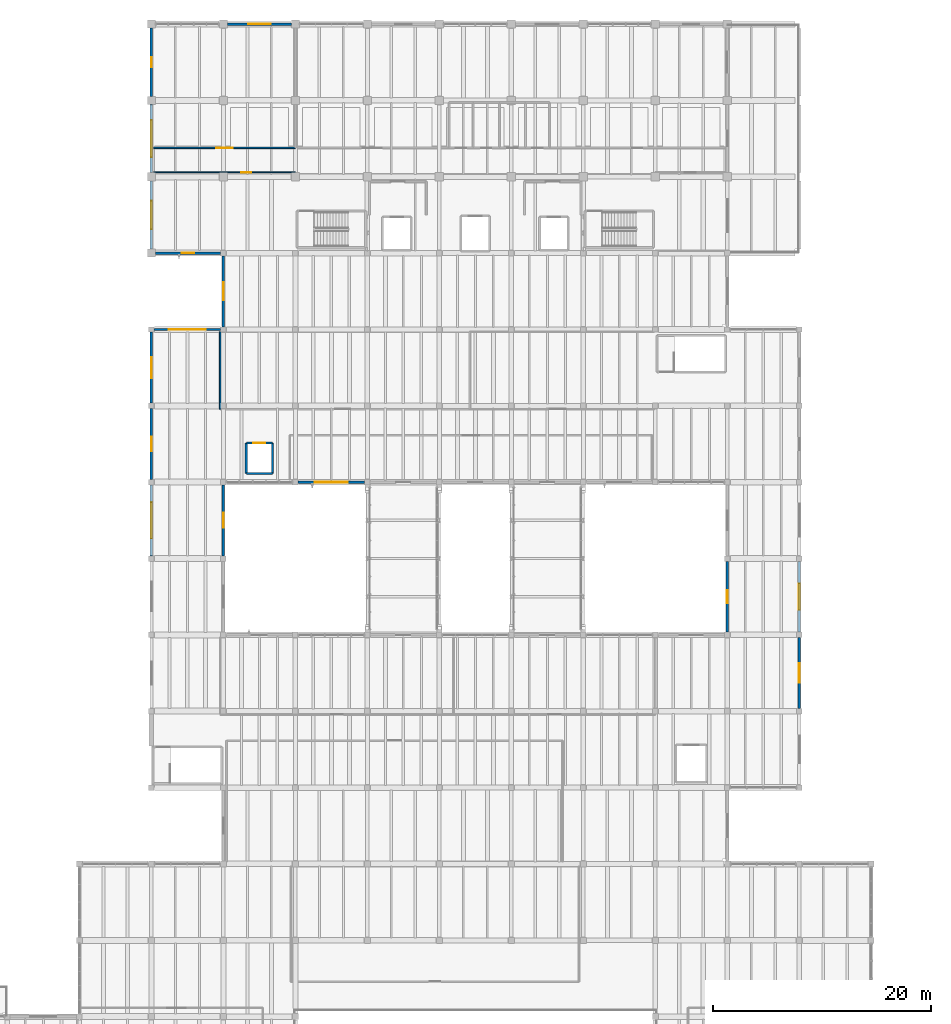
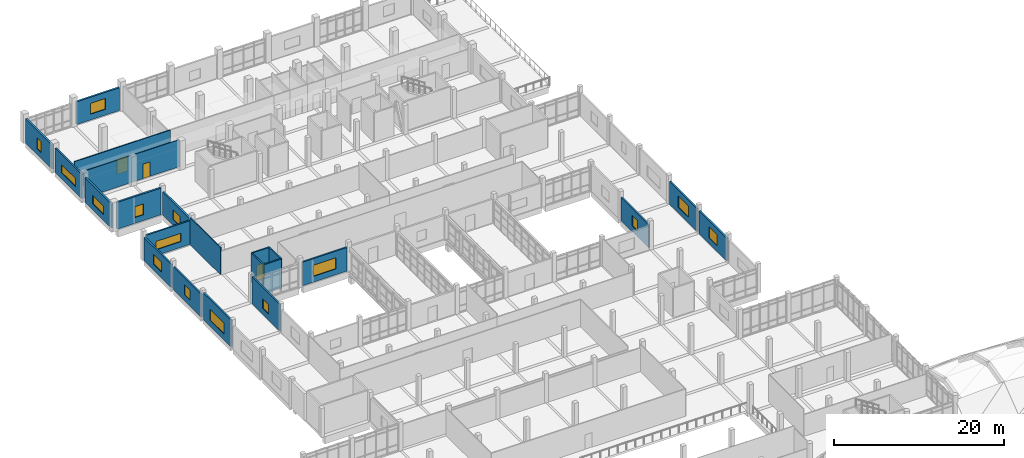
# One storey, part 50 of 65: 22 walls, 15 windows, 3 doors, 18 openings.
"""IFC4 building model written with IfcOpenShell, lengths in metres."""

from ifc_helpers import new_model, si_unit, direction, frame, frame_2d, origin, place, context, subcontext, project, spatial, rectangle, extrude, material, layer, layer_set, type_object, element, fill, save


model = new_model("IFC4")

# Units and contexts
model_context = context("Model", 3, precision=1e-05, world=origin(), true_north=direction((0.0, 1.0)))
body_context = subcontext(model_context, "Body", "Model", "MODEL_VIEW")
ifc_project = project(units=[si_unit("LENGTHUNIT", "METRE"), si_unit("AREAUNIT", "SQUARE_METRE"), si_unit("VOLUMEUNIT", "CUBIC_METRE"), si_unit("PLANEANGLEUNIT", "RADIAN"), si_unit("MASSUNIT", "GRAM", prefix="KILO")], contexts=[model_context])

# Site, building, storey
site_placement = place(None, origin())
site = spatial("IfcSite", under=ifc_project, at=site_placement, CompositionType="ELEMENT")
building_placement = place(site_placement, origin())
building = spatial("IfcBuilding", under=site, at=building_placement, Name="Ciguamira Faculty of Natural Sciences", CompositionType="ELEMENT")
storey_placement = place(building_placement, frame((0.0, 0.0, 12.60009765625)))
storey = spatial("IfcBuildingStorey", under=building, at=storey_placement, Name="L03", CompositionType="ELEMENT", Elevation=12.60009765625)

# Wall, opening, window
ifc_material_1 = material(Name="Precast concrete C40/50", Category="concrete")
ifc_layer_1 = layer(ifc_material_1, 0.239990234375, Name="Precast concrete C40/50")
ifc_layer_set_1 = layer_set([ifc_layer_1], Name="Precast concrete C40/50")
wall_type_1 = type_object("IfcWallType", Name="ExtWall_EW-02_240", PredefinedType="SOLIDWALL", material=ifc_layer_set_1)
wall_1_placement = place(storey_placement, frame((57.675048828125, 94.0, 0.0), z_axis=(0.0, 0.0, 1.0), x_axis=(1.0, 0.0, 0.0)))
wall_1 = element("IfcWall", 1, at=wall_1_placement, inside=storey, type_object=wall_type_1, Name="L03 exterior wall 0282", PredefinedType="SOLIDWALL", context=body_context, shape_type="SweptSolid", body=[
    extrude(rectangle(XDim=5.974853515625, YDim=0.239990234375, at=frame_2d((2.9873046875, 0.0))), origin(), (0.0, 0.0, 1.0), 3.849853515625),
])
opening_1_placement = place(wall_1_placement, frame((2.41259765625, 0.0, 0.85009765625)))
opening_1 = element("IfcOpeningElement", 2, at=opening_1_placement, cuts=wall_1, Name="Opening WT-37", PredefinedType="OPENING", context=body_context, shape_type="SweptSolid", body=[
    extrude(rectangle(XDim=1.14990234375, YDim=1.550048828125, at=frame_2d((0.574951171875, 0.77490234375))), frame((0.0, 0.1298828125, 0.0), z_axis=(0.0, -1.0, 0.0), x_axis=(1.0, 0.0, 0.0)), (0.0, 0.0, 1.0), 0.260009765625),
])
ifc_material_2 = material(Name="Hurricane laminated solar glass", Category="glass")
window_type_1 = type_object("IfcWindowType", Name="Window_WT-37_1150x1550", PartitioningType="DOUBLE_PANEL_VERTICAL", PredefinedType="WINDOW", material=ifc_material_2)
window_1_placement = place(opening_1_placement, origin())
window_1 = element("IfcWindow", 3, at=window_1_placement, inside=storey, type_object=window_type_1, Name="L03 facade window 0178", OverallHeight=1.550048828125, OverallWidth=1.14990234375, PartitioningType="SINGLE_PANEL", PredefinedType="WINDOW", context=body_context, shape_type="SweptSolid", body=[
    extrude(rectangle(XDim=1.14990234375, YDim=1.550048828125, at=frame_2d((0.574951171875, 0.77490234375))), frame((0.0, 0.030029296875, 0.0), z_axis=(0.0, -1.0, 0.0), x_axis=(1.0, 0.0, 0.0)), (0.0, 0.0, 1.0), 0.06005859375),
])
fill(opening_1, window_1)

wall_2_placement = place(storey_placement, frame((64.27490234375, 115.0, 0.0), z_axis=(0.0, 0.0, 1.0), x_axis=(1.0, 0.0, 0.0)))
wall_2 = element("IfcWall", 4, at=wall_2_placement, inside=storey, type_object=wall_type_1, Name="L03 exterior wall 0283", PredefinedType="SOLIDWALL", context=body_context, shape_type="SweptSolid", body=[
    extrude(rectangle(XDim=5.85009765625, YDim=0.239990234375, at=frame_2d((2.925048828125, 0.0))), origin(), (0.0, 0.0, 1.0), 3.284912109375),
])
opening_2_placement = place(wall_2_placement, frame((1.89990234375, 0.0, 0.85009765625)))
opening_2 = element("IfcOpeningElement", 5, at=opening_2_placement, cuts=wall_2, Name="Opening WT-40", PredefinedType="OPENING", context=body_context, shape_type="SweptSolid", body=[
    extrude(rectangle(XDim=2.050048828125, YDim=1.550048828125, at=frame_2d((1.02490234375, 0.77490234375))), frame((0.0, 0.1298828125, 0.0), z_axis=(0.0, -1.0, 0.0), x_axis=(1.0, 0.0, 0.0)), (0.0, 0.0, 1.0), 0.260009765625),
])
window_type_2 = type_object("IfcWindowType", Name="Window_WT-40_2050x1550", PartitioningType="DOUBLE_PANEL_VERTICAL", PredefinedType="WINDOW", material=ifc_material_2)
window_2_placement = place(opening_2_placement, origin())
window_2 = element("IfcWindow", 6, at=window_2_placement, inside=storey, type_object=window_type_2, Name="L03 facade window 0179", OverallHeight=1.550048828125, OverallWidth=2.050048828125, PartitioningType="SINGLE_PANEL", PredefinedType="WINDOW", context=body_context, shape_type="SweptSolid", body=[
    extrude(rectangle(XDim=2.050048828125, YDim=1.550048828125, at=frame_2d((1.02490234375, 0.77490234375))), frame((0.0, 0.030029296875, 0.0), z_axis=(0.0, -1.0, 0.0), x_axis=(1.0, 0.0, 0.0)), (0.0, 0.0, 1.0), 0.06005859375),
])
fill(opening_2, window_2)

wall_3_placement = place(storey_placement, frame((57.300048828125, 94.375, 0.0), z_axis=(0.0, 0.0, 1.0), x_axis=(0.0, 1.0, 0.0)))
wall_3 = element("IfcWall", 7, at=wall_3_placement, inside=storey, type_object=wall_type_1, Name="L03 exterior wall 0297", PredefinedType="SOLIDWALL", context=body_context, shape_type="SweptSolid", body=[
    extrude(rectangle(XDim=6.25, YDim=0.239990234375, at=frame_2d((3.125, 0.0))), origin(), (0.0, 0.0, 1.0), 3.5048828125),
])
opening_3_placement = place(wall_3_placement, frame((1.824951171875, 0.0, 0.85009765625)))
opening_3 = element("IfcOpeningElement", 8, at=opening_3_placement, cuts=wall_3, Name="Opening WT-32", PredefinedType="OPENING", context=body_context, shape_type="SweptSolid", body=[
    extrude(rectangle(XDim=2.60009765625, YDim=1.199951171875, at=frame_2d((1.300048828125, 0.60009765625))), frame((0.0, 0.1298828125, 0.0), z_axis=(0.0, -1.0, 0.0), x_axis=(1.0, 0.0, 0.0)), (0.0, 0.0, 1.0), 0.260009765625),
])
window_type_3 = type_object("IfcWindowType", Name="Window_WT-32_2600x1200", PartitioningType="DOUBLE_PANEL_VERTICAL", PredefinedType="WINDOW", material=ifc_material_2)
window_3_placement = place(opening_3_placement, origin())
window_3 = element("IfcWindow", 9, at=window_3_placement, inside=storey, type_object=window_type_3, Name="L03 facade window 0192", OverallHeight=1.199951171875, OverallWidth=2.60009765625, PartitioningType="SINGLE_PANEL", PredefinedType="WINDOW", context=body_context, shape_type="SweptSolid", body=[
    extrude(rectangle(XDim=2.60009765625, YDim=1.199951171875, at=frame_2d((1.300048828125, 0.60009765625))), frame((0.0, 0.030029296875, 0.0), z_axis=(0.0, -1.0, 0.0), x_axis=(1.0, 0.0, 0.0)), (0.0, 0.0, 1.0), 0.06005859375),
])
fill(opening_3, window_3)

wall_4_placement = place(storey_placement, frame((57.300048828125, 101.375, 0.0), z_axis=(0.0, 0.0, 1.0), x_axis=(0.0, 1.0, 0.0)))
wall_4 = element("IfcWall", 10, at=wall_4_placement, inside=storey, type_object=wall_type_1, Name="L03 exterior wall 0298", PredefinedType="SOLIDWALL", context=body_context, shape_type="SweptSolid", body=[
    extrude(rectangle(XDim=6.25, YDim=0.239990234375, at=frame_2d((3.125, 0.0))), origin(), (0.0, 0.0, 1.0), 3.5048828125),
])
opening_4_placement = place(wall_4_placement, frame((1.425048828125, 0.0, 0.85009765625)))
opening_4 = element("IfcOpeningElement", 11, at=opening_4_placement, cuts=wall_4, Name="Opening WT-34", PredefinedType="OPENING", context=body_context, shape_type="SweptSolid", body=[
    extrude(rectangle(XDim=3.39990234375, YDim=1.199951171875, at=frame_2d((1.699951171875, 0.60009765625))), frame((0.0, 0.1298828125, 0.0), z_axis=(0.0, -1.0, 0.0), x_axis=(1.0, 0.0, 0.0)), (0.0, 0.0, 1.0), 0.260009765625),
])
window_type_4 = type_object("IfcWindowType", Name="Window_WT-34_3400x1200", PartitioningType="DOUBLE_PANEL_VERTICAL", PredefinedType="WINDOW", material=ifc_material_2)
window_4_placement = place(opening_4_placement, origin())
window_4 = element("IfcWindow", 12, at=window_4_placement, inside=storey, type_object=window_type_4, Name="L03 facade window 0193", OverallHeight=1.199951171875, OverallWidth=3.39990234375, PartitioningType="SINGLE_PANEL", PredefinedType="WINDOW", context=body_context, shape_type="SweptSolid", body=[
    extrude(rectangle(XDim=3.39990234375, YDim=1.199951171875, at=frame_2d((1.699951171875, 0.60009765625))), frame((0.0, 0.030029296875, 0.0), z_axis=(0.0, -1.0, 0.0), x_axis=(1.0, 0.0, 0.0)), (0.0, 0.0, 1.0), 0.06005859375),
])
fill(opening_4, window_4)

wall_5_placement = place(storey_placement, frame((57.300048828125, 108.375, 0.0), z_axis=(0.0, 0.0, 1.0), x_axis=(0.0, 1.0, 0.0)))
wall_5 = element("IfcWall", 13, at=wall_5_placement, inside=storey, type_object=wall_type_1, Name="L03 exterior wall 0299", PredefinedType="SOLIDWALL", context=body_context, shape_type="SweptSolid", body=[
    extrude(rectangle(XDim=6.25, YDim=0.239990234375, at=frame_2d((3.125, 0.0))), origin(), (0.0, 0.0, 1.0), 3.5048828125),
])
opening_5_placement = place(wall_5_placement, frame((2.64990234375, 0.0, 0.85009765625)))
opening_5 = element("IfcOpeningElement", 14, at=opening_5_placement, cuts=wall_5, Name="Opening WT-36", PredefinedType="OPENING", context=body_context, shape_type="SweptSolid", body=[
    extrude(rectangle(XDim=0.949951171875, YDim=1.550048828125, at=frame_2d((0.47509765625, 0.77490234375))), frame((0.0, 0.1298828125, 0.0), z_axis=(0.0, -1.0, 0.0), x_axis=(1.0, 0.0, 0.0)), (0.0, 0.0, 1.0), 0.260009765625),
])
window_type_5 = type_object("IfcWindowType", Name="Window_WT-36_950x1550", PartitioningType="DOUBLE_PANEL_VERTICAL", PredefinedType="WINDOW", material=ifc_material_2)
window_5_placement = place(opening_5_placement, origin())
window_5 = element("IfcWindow", 15, at=window_5_placement, inside=storey, type_object=window_type_5, Name="L03 facade window 0194", OverallHeight=1.550048828125, OverallWidth=0.949951171875, PartitioningType="SINGLE_PANEL", PredefinedType="WINDOW", context=body_context, shape_type="SweptSolid", body=[
    extrude(rectangle(XDim=0.949951171875, YDim=1.550048828125, at=frame_2d((0.47509765625, 0.77490234375))), frame((0.0, 0.030029296875, 0.0), z_axis=(0.0, -1.0, 0.0), x_axis=(1.0, 0.0, 0.0)), (0.0, 0.0, 1.0), 0.06005859375),
])
fill(opening_5, window_5)

ifc_layer_2 = layer(ifc_material_1, 0.219970703125, Name="Precast concrete C40/50")
ifc_layer_set_2 = layer_set([ifc_layer_2], Name="Precast concrete C40/50")
wall_type_2 = type_object("IfcWallType", Name="ExtWall_EW-03_220", PredefinedType="SOLIDWALL", material=ifc_layer_set_2)
wall_6_placement = place(storey_placement, frame((70.75, 73.0, 0.0), z_axis=(0.0, 0.0, 1.0), x_axis=(1.0, 0.0, 0.0)))
wall_6 = element("IfcWall", 16, at=wall_6_placement, inside=storey, type_object=wall_type_2, Name="L03 exterior wall 0276", PredefinedType="SOLIDWALL", context=body_context, shape_type="SweptSolid", body=[
    extrude(rectangle(XDim=6.10009765625, YDim=0.219970703125, at=frame_2d((3.050048828125, 0.0))), origin(), (0.0, 0.0, 1.0), 3.40478515625),
])
opening_6_placement = place(wall_6_placement, frame((1.550048828125, 0.0, 0.85009765625)))
opening_6 = element("IfcOpeningElement", 17, at=opening_6_placement, cuts=wall_6, Name="Opening WT-25", PredefinedType="OPENING", context=body_context, shape_type="SweptSolid", body=[
    extrude(rectangle(XDim=3.0, YDim=1.60009765625, at=frame_2d((1.5, 0.800048828125))), frame((0.0, 0.119873046875, 0.0), z_axis=(0.0, -1.0, 0.0), x_axis=(1.0, 0.0, 0.0)), (0.0, 0.0, 1.0), 0.239990234375),
])
window_type_6 = type_object("IfcWindowType", Name="Window_WT-25_3000x1600", PartitioningType="DOUBLE_PANEL_VERTICAL", PredefinedType="WINDOW", material=ifc_material_2)
window_6_placement = place(opening_6_placement, origin())
window_6 = element("IfcWindow", 18, at=window_6_placement, inside=storey, type_object=window_type_6, Name="L03 facade window 0174", OverallHeight=1.60009765625, OverallWidth=3.0, PartitioningType="SINGLE_PANEL", PredefinedType="WINDOW", context=body_context, shape_type="SweptSolid", body=[
    extrude(rectangle(XDim=3.0, YDim=1.60009765625, at=frame_2d((1.5, 0.800048828125))), frame((0.0, 0.030029296875, 0.0), z_axis=(0.0, -1.0, 0.0), x_axis=(1.0, 0.0, 0.0)), (0.0, 0.0, 1.0), 0.06005859375),
])
fill(opening_6, window_6)

wall_7_placement = place(storey_placement, frame((57.550048828125, 87.0, 0.0), z_axis=(0.0, 0.0, 1.0), x_axis=(1.0, 0.0, 0.0)))
wall_7 = element("IfcWall", 19, at=wall_7_placement, inside=storey, type_object=wall_type_2, Name="L03 exterior wall 0281", PredefinedType="SOLIDWALL", context=body_context, shape_type="SweptSolid", body=[
    extrude(rectangle(XDim=6.099853515625, YDim=0.219970703125, at=frame_2d((3.0498046875, 0.0))), origin(), (0.0, 0.0, 1.0), 3.40478515625),
])
opening_7_placement = place(wall_7_placement, frame((1.35009765625, 0.0, 0.85009765625)))
opening_7 = element("IfcOpeningElement", 20, at=opening_7_placement, cuts=wall_7, Name="Opening WT-34", PredefinedType="OPENING", context=body_context, shape_type="SweptSolid", body=[
    extrude(rectangle(XDim=3.39990234375, YDim=1.199951171875, at=frame_2d((1.699951171875, 0.60009765625))), frame((0.0, 0.119873046875, 0.0), z_axis=(0.0, -1.0, 0.0), x_axis=(1.0, 0.0, 0.0)), (0.0, 0.0, 1.0), 0.239990234375),
])
window_7_placement = place(opening_7_placement, origin())
window_7 = element("IfcWindow", 21, at=window_7_placement, inside=storey, type_object=window_type_4, Name="L03 facade window 0177", OverallHeight=1.199951171875, OverallWidth=3.39990234375, PartitioningType="SINGLE_PANEL", PredefinedType="WINDOW", context=body_context, shape_type="SweptSolid", body=[
    extrude(rectangle(XDim=3.39990234375, YDim=1.199951171875, at=frame_2d((1.699951171875, 0.60009765625))), frame((0.0, 0.030029296875, 0.0), z_axis=(0.0, -1.0, 0.0), x_axis=(1.0, 0.0, 0.0)), (0.0, 0.0, 1.0), 0.06005859375),
])
fill(opening_7, window_7)

wall_8_placement = place(storey_placement, frame((57.300048828125, 66.25, 0.0), z_axis=(0.0, 0.0, 1.0), x_axis=(0.0, 1.0, 0.0)))
wall_8 = element("IfcWall", 22, at=wall_8_placement, inside=storey, type_object=wall_type_2, Name="L03 exterior wall 0294", PredefinedType="SOLIDWALL", context=body_context, shape_type="SweptSolid", body=[
    extrude(rectangle(XDim=6.5, YDim=0.219970703125, at=frame_2d((3.25, 0.0))), origin(), (0.0, 0.0, 1.0), 3.849853515625),
])
opening_8_placement = place(wall_8_placement, frame((1.60009765625, 0.0, 0.85009765625)))
opening_8 = element("IfcOpeningElement", 23, at=opening_8_placement, cuts=wall_8, Name="Opening WT-26", PredefinedType="OPENING", context=body_context, shape_type="SweptSolid", body=[
    extrude(rectangle(XDim=3.300048828125, YDim=1.60009765625, at=frame_2d((1.64990234375, 0.800048828125))), frame((0.0, 0.119873046875, 0.0), z_axis=(0.0, -1.0, 0.0), x_axis=(1.0, 0.0, 0.0)), (0.0, 0.0, 1.0), 0.239990234375),
])
window_type_7 = type_object("IfcWindowType", Name="Window_WT-26_3300x1600", PartitioningType="DOUBLE_PANEL_VERTICAL", PredefinedType="WINDOW", material=ifc_material_2)
window_8_placement = place(opening_8_placement, origin())
window_8 = element("IfcWindow", 24, at=window_8_placement, inside=storey, type_object=window_type_7, Name="L03 facade window 0189", OverallHeight=1.60009765625, OverallWidth=3.300048828125, PartitioningType="SINGLE_PANEL", PredefinedType="WINDOW", context=body_context, shape_type="SweptSolid", body=[
    extrude(rectangle(XDim=3.300048828125, YDim=1.60009765625, at=frame_2d((1.64990234375, 0.800048828125))), frame((0.0, 0.030029296875, 0.0), z_axis=(0.0, -1.0, 0.0), x_axis=(1.0, 0.0, 0.0)), (0.0, 0.0, 1.0), 0.06005859375),
])
fill(opening_8, window_8)

wall_9_placement = place(storey_placement, frame((57.300048828125, 73.25, 0.0), z_axis=(0.0, 0.0, 1.0), x_axis=(0.0, 1.0, 0.0)))
wall_9 = element("IfcWall", 25, at=wall_9_placement, inside=storey, type_object=wall_type_2, Name="L03 exterior wall 0295", PredefinedType="SOLIDWALL", context=body_context, shape_type="SweptSolid", body=[
    extrude(rectangle(XDim=6.5, YDim=0.219970703125, at=frame_2d((3.25, 0.0))), origin(), (0.0, 0.0, 1.0), 3.324951171875),
])
opening_9_placement = place(wall_9_placement, frame((2.60009765625, 0.0, 0.85009765625)))
opening_9 = element("IfcOpeningElement", 26, at=opening_9_placement, cuts=wall_9, Name="Opening WT-28", PredefinedType="OPENING", context=body_context, shape_type="SweptSolid", body=[
    extrude(rectangle(XDim=1.300048828125, YDim=1.449951171875, at=frame_2d((0.64990234375, 0.72509765625))), frame((0.0, 0.119873046875, 0.0), z_axis=(0.0, -1.0, 0.0), x_axis=(1.0, 0.0, 0.0)), (0.0, 0.0, 1.0), 0.239990234375),
])
window_type_8 = type_object("IfcWindowType", Name="Window_WT-28_1300x1450", PartitioningType="DOUBLE_PANEL_VERTICAL", PredefinedType="WINDOW", material=ifc_material_2)
window_9_placement = place(opening_9_placement, origin())
window_9 = element("IfcWindow", 27, at=window_9_placement, inside=storey, type_object=window_type_8, Name="L03 facade window 0190", OverallHeight=1.449951171875, OverallWidth=1.300048828125, PartitioningType="SINGLE_PANEL", PredefinedType="WINDOW", context=body_context, shape_type="SweptSolid", body=[
    extrude(rectangle(XDim=1.300048828125, YDim=1.449951171875, at=frame_2d((0.64990234375, 0.72509765625))), frame((0.0, 0.030029296875, 0.0), z_axis=(0.0, -1.0, 0.0), x_axis=(1.0, 0.0, 0.0)), (0.0, 0.0, 1.0), 0.06005859375),
])
fill(opening_9, window_9)

wall_10_placement = place(storey_placement, frame((57.300048828125, 80.25, 0.0), z_axis=(0.0, 0.0, 1.0), x_axis=(0.0, 1.0, 0.0)))
wall_10 = element("IfcWall", 28, at=wall_10_placement, inside=storey, type_object=wall_type_2, Name="L03 exterior wall 0296", PredefinedType="SOLIDWALL", context=body_context, shape_type="SweptSolid", body=[
    extrude(rectangle(XDim=6.5, YDim=0.219970703125, at=frame_2d((3.25, 0.0))), origin(), (0.0, 0.0, 1.0), 3.324951171875),
])
opening_10_placement = place(wall_10_placement, frame((2.300048828125, 0.0, 0.85009765625)))
opening_10 = element("IfcOpeningElement", 29, at=opening_10_placement, cuts=wall_10, Name="Opening WT-30", PredefinedType="OPENING", context=body_context, shape_type="SweptSolid", body=[
    extrude(rectangle(XDim=1.89990234375, YDim=1.449951171875, at=frame_2d((0.949951171875, 0.72509765625))), frame((0.0, 0.119873046875, 0.0), z_axis=(0.0, -1.0, 0.0), x_axis=(1.0, 0.0, 0.0)), (0.0, 0.0, 1.0), 0.239990234375),
])
window_type_9 = type_object("IfcWindowType", Name="Window_WT-30_1900x1450", PartitioningType="DOUBLE_PANEL_VERTICAL", PredefinedType="WINDOW", material=ifc_material_2)
window_10_placement = place(opening_10_placement, origin())
window_10 = element("IfcWindow", 30, at=window_10_placement, inside=storey, type_object=window_type_9, Name="L03 facade window 0191", OverallHeight=1.449951171875, OverallWidth=1.89990234375, PartitioningType="SINGLE_PANEL", PredefinedType="WINDOW", context=body_context, shape_type="SweptSolid", body=[
    extrude(rectangle(XDim=1.89990234375, YDim=1.449951171875, at=frame_2d((0.949951171875, 0.72509765625))), frame((0.0, 0.030029296875, 0.0), z_axis=(0.0, -1.0, 0.0), x_axis=(1.0, 0.0, 0.0)), (0.0, 0.0, 1.0), 0.06005859375),
])
fill(opening_10, window_10)

wall_11_placement = place(storey_placement, frame((63.89990234375, 66.25, 0.0), z_axis=(0.0, 0.0, 1.0), x_axis=(0.0, 1.0, 0.0)))
wall_11 = element("IfcWall", 31, at=wall_11_placement, inside=storey, type_object=wall_type_2, Name="L03 exterior wall 0302", PredefinedType="SOLIDWALL", context=body_context, shape_type="SweptSolid", body=[
    extrude(rectangle(XDim=6.5, YDim=0.219970703125, at=frame_2d((3.25, 0.0))), origin(), (0.0, 0.0, 1.0), 3.849853515625),
])
opening_11_placement = place(wall_11_placement, frame((2.574951171875, 0.0, 0.85009765625)))
opening_11 = element("IfcOpeningElement", 32, at=opening_11_placement, cuts=wall_11, Name="Opening WT-02", PredefinedType="OPENING", context=body_context, shape_type="SweptSolid", body=[
    extrude(rectangle(XDim=1.35009765625, YDim=1.35009765625, at=frame_2d((0.675048828125, 0.675048828125))), frame((0.0, 0.119873046875, 0.0), z_axis=(0.0, -1.0, 0.0), x_axis=(1.0, 0.0, 0.0)), (0.0, 0.0, 1.0), 0.239990234375),
])
window_type_10 = type_object("IfcWindowType", Name="Window_WT-02_1350x1350", PartitioningType="DOUBLE_PANEL_VERTICAL", PredefinedType="WINDOW", material=ifc_material_2)
window_11_placement = place(opening_11_placement, origin())
window_11 = element("IfcWindow", 33, at=window_11_placement, inside=storey, type_object=window_type_10, Name="L03 facade window 0197", OverallHeight=1.35009765625, OverallWidth=1.35009765625, PartitioningType="SINGLE_PANEL", PredefinedType="WINDOW", context=body_context, shape_type="SweptSolid", body=[
    extrude(rectangle(XDim=1.35009765625, YDim=1.35009765625, at=frame_2d((0.675048828125, 0.675048828125))), frame((0.0, 0.030029296875, 0.0), z_axis=(0.0, -1.0, 0.0), x_axis=(1.0, 0.0, 0.0)), (0.0, 0.0, 1.0), 0.06005859375),
])
fill(opening_11, window_11)

wall_12_placement = place(storey_placement, frame((63.89990234375, 87.25, 0.0), z_axis=(0.0, 0.0, 1.0), x_axis=(0.0, 1.0, 0.0)))
wall_12 = element("IfcWall", 34, at=wall_12_placement, inside=storey, type_object=wall_type_2, Name="L03 exterior wall 0303", PredefinedType="SOLIDWALL", context=body_context, shape_type="SweptSolid", body=[
    extrude(rectangle(XDim=6.5, YDim=0.219970703125, at=frame_2d((3.25, 0.0))), origin(), (0.0, 0.0, 1.0), 3.324951171875),
])
opening_12_placement = place(wall_12_placement, frame((2.425048828125, 0.0, 0.85009765625)))
opening_12 = element("IfcOpeningElement", 35, at=opening_12_placement, cuts=wall_12, Name="Opening WT-04", PredefinedType="OPENING", context=body_context, shape_type="SweptSolid", body=[
    extrude(rectangle(XDim=1.64990234375, YDim=1.35009765625, at=frame_2d((0.824951171875, 0.675048828125))), frame((0.0, 0.119873046875, 0.0), z_axis=(0.0, -1.0, 0.0), x_axis=(1.0, 0.0, 0.0)), (0.0, 0.0, 1.0), 0.239990234375),
])
window_type_11 = type_object("IfcWindowType", Name="Window_WT-04_1650x1350", PartitioningType="DOUBLE_PANEL_VERTICAL", PredefinedType="WINDOW", material=ifc_material_2)
window_12_placement = place(opening_12_placement, origin())
window_12 = element("IfcWindow", 36, at=window_12_placement, inside=storey, type_object=window_type_11, Name="L03 facade window 0198", OverallHeight=1.35009765625, OverallWidth=1.64990234375, PartitioningType="SINGLE_PANEL", PredefinedType="WINDOW", context=body_context, shape_type="SweptSolid", body=[
    extrude(rectangle(XDim=1.64990234375, YDim=1.35009765625, at=frame_2d((0.824951171875, 0.675048828125))), frame((0.0, 0.030029296875, 0.0), z_axis=(0.0, -1.0, 0.0), x_axis=(1.0, 0.0, 0.0)), (0.0, 0.0, 1.0), 0.06005859375),
])
fill(opening_12, window_12)

wall_13_placement = place(storey_placement, frame((110.10009765625, 59.25, 0.0), z_axis=(0.0, 0.0, 1.0), x_axis=(0.0, 1.0, 0.0)))
wall_13 = element("IfcWall", 37, at=wall_13_placement, inside=storey, type_object=wall_type_2, Name="L03 exterior wall 0305", PredefinedType="SOLIDWALL", context=body_context, shape_type="SweptSolid", body=[
    extrude(rectangle(XDim=6.5, YDim=0.219970703125, at=frame_2d((3.25, 0.0))), origin(), (0.0, 0.0, 1.0), 3.324951171875),
])
opening_13_placement = place(wall_13_placement, frame((2.64990234375, 0.0, 0.85009765625)))
opening_13 = element("IfcOpeningElement", 38, at=opening_13_placement, cuts=wall_13, Name="Opening WT-08", PredefinedType="OPENING", context=body_context, shape_type="SweptSolid", body=[
    extrude(rectangle(XDim=1.199951171875, YDim=1.5, at=frame_2d((0.60009765625, 0.75))), frame((0.0, 0.119873046875, 0.0), z_axis=(0.0, -1.0, 0.0), x_axis=(1.0, 0.0, 0.0)), (0.0, 0.0, 1.0), 0.239990234375),
])
window_type_12 = type_object("IfcWindowType", Name="Window_WT-08_1200x1500", PartitioningType="DOUBLE_PANEL_VERTICAL", PredefinedType="WINDOW", material=ifc_material_2)
window_13_placement = place(opening_13_placement, origin())
window_13 = element("IfcWindow", 39, at=window_13_placement, inside=storey, type_object=window_type_12, Name="L03 facade window 0200", OverallHeight=1.5, OverallWidth=1.199951171875, PartitioningType="SINGLE_PANEL", PredefinedType="WINDOW", context=body_context, shape_type="SweptSolid", body=[
    extrude(rectangle(XDim=1.199951171875, YDim=1.5, at=frame_2d((0.60009765625, 0.75))), frame((0.0, 0.030029296875, 0.0), z_axis=(0.0, -1.0, 0.0), x_axis=(1.0, 0.0, 0.0)), (0.0, 0.0, 1.0), 0.06005859375),
])
fill(opening_13, window_13)

wall_14_placement = place(storey_placement, frame((116.699951171875, 52.25, 0.0), z_axis=(0.0, 0.0, 1.0), x_axis=(0.0, 1.0, 0.0)))
wall_14 = element("IfcWall", 40, at=wall_14_placement, inside=storey, type_object=wall_type_2, Name="L03 exterior wall 0312", PredefinedType="SOLIDWALL", context=body_context, shape_type="SweptSolid", body=[
    extrude(rectangle(XDim=6.5, YDim=0.219970703125, at=frame_2d((3.25, 0.0))), origin(), (0.0, 0.0, 1.0), 3.324951171875),
])
opening_14_placement = place(wall_14_placement, frame((2.35009765625, 0.0, 0.85009765625)))
opening_14 = element("IfcOpeningElement", 41, at=opening_14_placement, cuts=wall_14, Name="Opening WT-21", PredefinedType="OPENING", context=body_context, shape_type="SweptSolid", body=[
    extrude(rectangle(XDim=1.800048828125, YDim=1.60009765625, at=frame_2d((0.89990234375, 0.800048828125))), frame((0.0, 0.119873046875, 0.0), z_axis=(0.0, -1.0, 0.0), x_axis=(1.0, 0.0, 0.0)), (0.0, 0.0, 1.0), 0.239990234375),
])
window_type_13 = type_object("IfcWindowType", Name="Window_WT-21_1800x1600", PartitioningType="DOUBLE_PANEL_VERTICAL", PredefinedType="WINDOW", material=ifc_material_2)
window_14_placement = place(opening_14_placement, origin())
window_14 = element("IfcWindow", 42, at=window_14_placement, inside=storey, type_object=window_type_13, Name="L03 facade window 0206", OverallHeight=1.60009765625, OverallWidth=1.800048828125, PartitioningType="SINGLE_PANEL", PredefinedType="WINDOW", context=body_context, shape_type="SweptSolid", body=[
    extrude(rectangle(XDim=1.800048828125, YDim=1.60009765625, at=frame_2d((0.89990234375, 0.800048828125))), frame((0.0, 0.030029296875, 0.0), z_axis=(0.0, -1.0, 0.0), x_axis=(1.0, 0.0, 0.0)), (0.0, 0.0, 1.0), 0.06005859375),
])
fill(opening_14, window_14)

wall_15_placement = place(storey_placement, frame((116.699951171875, 59.25, 0.0), z_axis=(0.0, 0.0, 1.0), x_axis=(0.0, 1.0, 0.0)))
wall_15 = element("IfcWall", 43, at=wall_15_placement, inside=storey, type_object=wall_type_2, Name="L03 exterior wall 0313", PredefinedType="SOLIDWALL", context=body_context, shape_type="SweptSolid", body=[
    extrude(rectangle(XDim=6.5, YDim=0.219970703125, at=frame_2d((3.25, 0.0))), origin(), (0.0, 0.0, 1.0), 3.324951171875),
])
opening_15_placement = place(wall_15_placement, frame((2.050048828125, 0.0, 0.85009765625)))
opening_15 = element("IfcOpeningElement", 44, at=opening_15_placement, cuts=wall_15, Name="Opening WT-23", PredefinedType="OPENING", context=body_context, shape_type="SweptSolid", body=[
    extrude(rectangle(XDim=2.39990234375, YDim=1.60009765625, at=frame_2d((1.199951171875, 0.800048828125))), frame((0.0, 0.119873046875, 0.0), z_axis=(0.0, -1.0, 0.0), x_axis=(1.0, 0.0, 0.0)), (0.0, 0.0, 1.0), 0.239990234375),
])
window_type_14 = type_object("IfcWindowType", Name="Window_WT-23_2400x1600", PartitioningType="DOUBLE_PANEL_VERTICAL", PredefinedType="WINDOW", material=ifc_material_2)
window_15_placement = place(opening_15_placement, origin())
window_15 = element("IfcWindow", 45, at=window_15_placement, inside=storey, type_object=window_type_14, Name="L03 facade window 0207", OverallHeight=1.60009765625, OverallWidth=2.39990234375, PartitioningType="SINGLE_PANEL", PredefinedType="WINDOW", context=body_context, shape_type="SweptSolid", body=[
    extrude(rectangle(XDim=2.39990234375, YDim=1.60009765625, at=frame_2d((1.199951171875, 0.800048828125))), frame((0.0, 0.030029296875, 0.0), z_axis=(0.0, -1.0, 0.0), x_axis=(1.0, 0.0, 0.0)), (0.0, 0.0, 1.0), 0.06005859375),
])
fill(opening_15, window_15)

# Wall
ifc_material_3 = material(Name="Concrete C40/50", Category="concrete")
ifc_layer_3 = layer(ifc_material_3, 0.199951171875, Name="Concrete C40/50")
ifc_layer_set_3 = layer_set([ifc_layer_3], Name="Concrete C40/50")
wall_type_3 = type_object("IfcWallType", Name="IntWall_CW-S20_200", PredefinedType="SHEAR", material=ifc_layer_set_3)
wall_16_placement = place(storey_placement, frame((66.0, 73.800048828125, 0.0), z_axis=(0.0, 0.0, 1.0), x_axis=(1.0, 0.0, 0.0)))
element("IfcWall", 46, at=wall_16_placement, inside=storey, type_object=wall_type_3, Name="L03 EL-P4 hoistway wall south", PredefinedType="SHEAR", context=body_context, shape_type="SweptSolid", body=[
    extrude(rectangle(XDim=2.39990234375, YDim=0.199951171875, at=frame_2d((1.199951171875, 0.0))), origin(), (0.0, 0.0, 1.0), 4.199951171875),
])

# Wall, opening, door
wall_17_placement = place(storey_placement, frame((66.0, 76.60009765625, 0.0), z_axis=(0.0, 0.0, 1.0), x_axis=(1.0, 0.0, 0.0)))
wall_17 = element("IfcWall", 47, at=wall_17_placement, inside=storey, type_object=wall_type_3, Name="L03 EL-P4 hoistway wall north", PredefinedType="SHEAR", context=body_context, shape_type="SweptSolid", body=[
    extrude(rectangle(XDim=2.39990234375, YDim=0.199951171875, at=frame_2d((1.199951171875, 0.0))), origin(), (0.0, 0.0, 1.0), 4.199951171875),
])
opening_16_placement = place(wall_17_placement, frame((0.64990234375, 0.0, 0.0)))
opening_16 = element("IfcOpeningElement", 48, at=opening_16_placement, cuts=wall_17, Name="Opening LD-01", PredefinedType="OPENING", context=body_context, shape_type="SweptSolid", body=[
    extrude(rectangle(XDim=1.10009765625, YDim=2.14990234375, at=frame_2d((0.550048828125, 1.074951171875))), frame((0.0, 0.10986328125, 0.0), z_axis=(0.0, -1.0, 0.0), x_axis=(1.0, 0.0, 0.0)), (0.0, 0.0, 1.0), 0.219970703125),
])
ifc_material_4 = material(Name="Passenger elevator sliding landing door")
door_type_1 = type_object("IfcDoorType", Name="LiftLandingDoor_LD-01_1100x2150", OperationType="SLIDING_TO_LEFT", PredefinedType="DOOR", material=ifc_material_4)
door_1_placement = place(opening_16_placement, origin())
door_1 = element("IfcDoor", 49, at=door_1_placement, inside=storey, type_object=door_type_1, Name="L03 EL-P4 elevator landing sliding door", OperationType="SLIDING_TO_LEFT", OverallHeight=2.14990234375, OverallWidth=1.10009765625, PredefinedType="DOOR", context=body_context, shape_type="SweptSolid", body=[
    extrude(rectangle(XDim=1.10009765625, YDim=2.14990234375, at=frame_2d((0.550048828125, 1.074951171875))), frame((0.0, 0.02490234375, 0.0), z_axis=(0.0, -1.0, 0.0), x_axis=(1.0, 0.0, 0.0)), (0.0, 0.0, 1.0), 0.050048828125),
])
fill(opening_16, door_1)

# Walls
for number, where, z_axis, x_axis, name in (
    (50, (66.0, 73.800048828125, 0.0), (0.0, 0.0, 1.0), (0.0, 1.0, 0.0), "L03 EL-P4 hoistway wall west"),
    (51, (68.39990234375, 73.800048828125, 0.0), (0.0, 0.0, 1.0), (0.0, 1.0, 0.0), "L03 EL-P4 hoistway wall east"),
):
    element("IfcWall", number, at=place(storey_placement, frame(where, z_axis=z_axis, x_axis=x_axis)), inside=storey, type_object=wall_type_3, Name=name, PredefinedType="SHEAR", context=body_context, shape_type="SweptSolid", body=[
        extrude(rectangle(XDim=2.800048828125, YDim=0.199951171875, at=frame_2d((1.39990234375, 0.0))), origin(), (0.0, 0.0, 1.0), 4.199951171875),
    ])

# Wall, opening, door
ifc_material_5 = material(Name="Fire-rated gypsum partition")
ifc_layer_4 = layer(ifc_material_5, 0.10009765625, Name="Fire-rated gypsum partition")
ifc_layer_set_4 = layer_set([ifc_layer_4], Name="Fire-rated gypsum partition")
wall_type_4 = type_object("IfcWallType", Name="IntWall_IW-A10_100", PredefinedType="PARTITIONING", material=ifc_layer_set_4)
wall_18_placement = place(storey_placement, frame((57.5, 101.39990234375, 0.0), z_axis=(0.0, 0.0, 1.0), x_axis=(1.0, 0.0, 0.0)))
wall_18 = element("IfcWall", 52, at=wall_18_placement, inside=storey, type_object=wall_type_4, Name="L03 Marine Science Staff Offices partition north", PredefinedType="PARTITIONING", context=body_context, shape_type="SweptSolid", body=[
    extrude(rectangle(XDim=13.0, YDim=0.10009765625, at=frame_2d((6.5, 0.0))), origin(), (0.0, 0.0, 1.0), 3.89990234375),
])
opening_17_placement = place(wall_18_placement, frame((8.02490234375, 0.0, 0.0)))
opening_17 = element("IfcOpeningElement", 53, at=opening_17_placement, cuts=wall_18, Name="Opening ID-02", PredefinedType="OPENING", context=body_context, shape_type="SweptSolid", body=[
    extrude(rectangle(XDim=0.949951171875, YDim=2.10009765625, at=frame_2d((0.47509765625, 1.050048828125))), frame((0.0, 0.06005859375, 0.0), z_axis=(0.0, -1.0, 0.0), x_axis=(1.0, 0.0, 0.0)), (0.0, 0.0, 1.0), 0.1201171875),
])
ifc_material_6 = material(Name="Accessible WC outward-clear door")
door_type_2 = type_object("IfcDoorType", Name="IntDoor_ID-02_950x2100", OperationType="NOTDEFINED", PredefinedType="DOOR", material=ifc_material_6)
door_2_placement = place(opening_17_placement, frame((0.949951171875, 0.0, 0.0), z_axis=(0.0, 0.0, 1.0), x_axis=(-1.0, 0.0, 0.0)))
door_2 = element("IfcDoor", 54, at=door_2_placement, inside=storey, type_object=door_type_2, Name="L03 Marine Science Staff Offices door", OperationType="SINGLE_SWING_LEFT", OverallHeight=2.10009765625, OverallWidth=0.949951171875, PredefinedType="DOOR", context=body_context, shape_type="SweptSolid", body=[
    extrude(rectangle(XDim=0.949951171875, YDim=2.10009765625, at=frame_2d((0.47509765625, 1.050048828125))), frame((0.0, 0.02490234375, 0.0), z_axis=(0.0, -1.0, 0.0), x_axis=(1.0, 0.0, 0.0)), (0.0, 0.0, 1.0), 0.050048828125),
])
fill(opening_17, door_2)

# Wall
ifc_material_7 = material(Name="Moisture-resistant service chase wall")
ifc_layer_5 = layer(ifc_material_7, 0.139892578125, Name="Moisture-resistant service chase wall")
ifc_layer_set_5 = layer_set([ifc_layer_5], Name="Moisture-resistant service chase wall")
wall_type_5 = type_object("IfcWallType", Name="IntWall_IW-P14_140", PredefinedType="PLUMBINGWALL", material=ifc_layer_set_5)
wall_19_placement = place(storey_placement, frame((63.60009765625, 79.699951171875, 0.0), z_axis=(0.0, 0.0, 1.0), x_axis=(0.0, 1.0, 0.0)))
element("IfcWall", 55, at=wall_19_placement, inside=storey, type_object=wall_type_5, Name="L03 North-Light Biochemistry Wave Laboratory partition west", PredefinedType="PLUMBINGWALL", context=body_context, shape_type="SweptSolid", body=[
    extrude(rectangle(XDim=7.10009765625, YDim=0.139892578125, at=frame_2d((3.550048828125, 0.0))), origin(), (0.0, 0.0, 1.0), 3.89990234375),
])

# Wall, opening, door
wall_20_placement = place(storey_placement, frame((57.5, 103.64990234375, 0.0), z_axis=(0.0, 0.0, 1.0), x_axis=(1.0, 0.0, 0.0)))
wall_20 = element("IfcWall", 56, at=wall_20_placement, inside=storey, type_object=wall_type_5, Name="L03 Tropical Marine Chemistry Laboratory partition south", PredefinedType="PLUMBINGWALL", context=body_context, shape_type="SweptSolid", body=[
    extrude(rectangle(XDim=13.0, YDim=0.139892578125, at=frame_2d((6.5, 0.0))), origin(), (0.0, 0.0, 1.0), 3.89990234375),
])
opening_18_placement = place(wall_20_placement, frame((5.75, 0.0, 0.0)))
opening_18 = element("IfcOpeningElement", 57, at=opening_18_placement, cuts=wall_20, Name="Opening ID-17", PredefinedType="OPENING", context=body_context, shape_type="SweptSolid", body=[
    extrude(rectangle(XDim=1.5, YDim=2.14990234375, at=frame_2d((0.75, 1.074951171875))), frame((0.0, 0.079833984375, 0.0), z_axis=(0.0, -1.0, 0.0), x_axis=(1.0, 0.0, 0.0)), (0.0, 0.0, 1.0), 0.159912109375),
])
ifc_material_8 = material(Name="Plant room double steel door", Category="steel")
door_type_3 = type_object("IfcDoorType", Name="IntDoor_ID-17_1500x2150", OperationType="NOTDEFINED", PredefinedType="DOOR", material=ifc_material_8)
door_3_placement = place(opening_18_placement, origin())
door_3 = element("IfcDoor", 58, at=door_3_placement, inside=storey, type_object=door_type_3, Name="L03 Tropical Marine Chemistry Laboratory door", OperationType="SINGLE_SWING_RIGHT", OverallHeight=2.14990234375, OverallWidth=1.5, PredefinedType="DOOR", context=body_context, shape_type="SweptSolid", body=[
    extrude(rectangle(XDim=1.5, YDim=2.14990234375, at=frame_2d((0.75, 1.074951171875))), frame((0.0, 0.02490234375, 0.0), z_axis=(0.0, -1.0, 0.0), x_axis=(1.0, 0.0, 0.0)), (0.0, 0.0, 1.0), 0.050048828125),
])
fill(opening_18, door_3)

save(model, "model.ifc")
